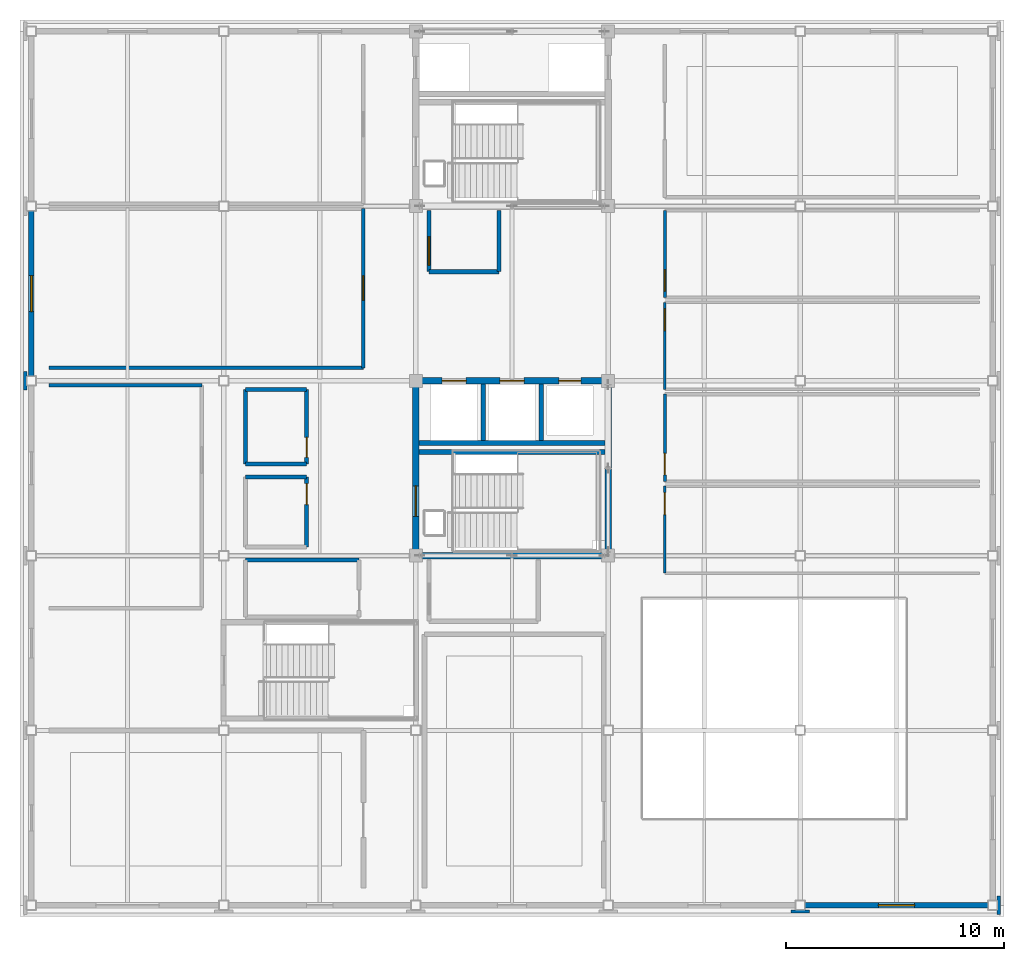
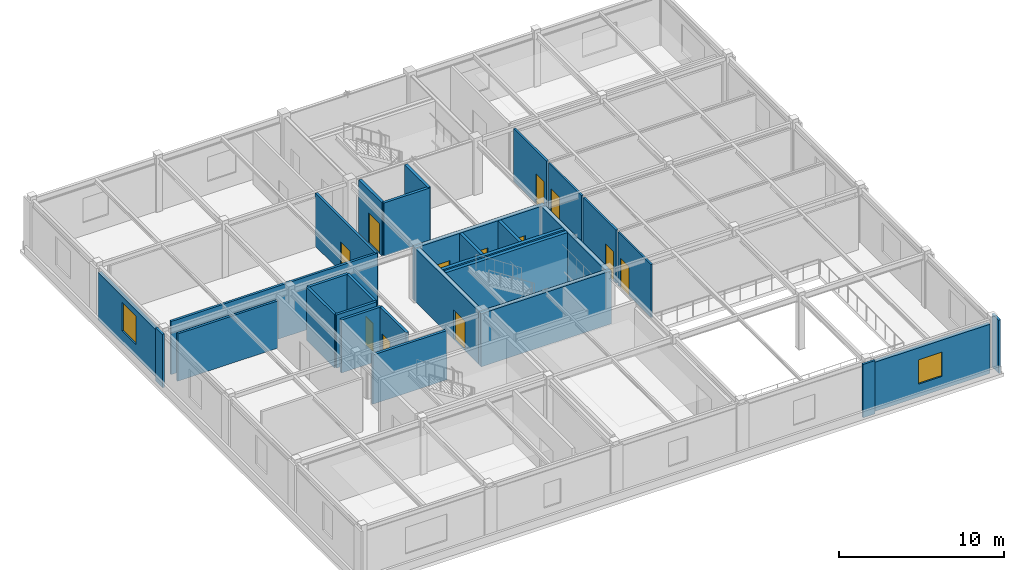
# One storey, part 13 of 18: 30 walls, 12 doors, 2 windows, 14 openings.
"""IFC4 building model written with IfcOpenShell, lengths in metres."""

from ifc_helpers import new_model, si_unit, direction, frame, frame_2d, origin, place, context, subcontext, project, spatial, rectangle, extrude, material, layer, layer_set, type_object, element, fill, save


model = new_model("IFC4")

# Units and contexts
model_context = context("Model", 3, precision=1e-05, world=origin(), true_north=direction((0.0, 1.0)))
body_context = subcontext(model_context, "Body", "Model", "MODEL_VIEW")
ifc_project = project(units=[si_unit("LENGTHUNIT", "METRE"), si_unit("AREAUNIT", "SQUARE_METRE"), si_unit("VOLUMEUNIT", "CUBIC_METRE"), si_unit("PLANEANGLEUNIT", "RADIAN"), si_unit("MASSUNIT", "GRAM", prefix="KILO")], contexts=[model_context])

# Site, building, storey
site_placement = place(None, origin())
site = spatial("IfcSite", under=ifc_project, at=site_placement, CompositionType="ELEMENT")
building_placement = place(site_placement, origin())
building = spatial("IfcBuilding", under=site, at=building_placement, Name="Zhaolan Boulevard Law Courts", CompositionType="ELEMENT")
storey_placement = place(building_placement, frame((0.0, 0.0, 33.0)))
storey = spatial("IfcBuildingStorey", under=building, at=storey_placement, Name="L07", CompositionType="ELEMENT", Elevation=33.0)

# Wall
ifc_material_1 = material(Name="Concrete C50", Category="concrete")
ifc_layer_1 = layer(ifc_material_1, 0.300048828125)
ifc_layer_set_1 = layer_set([ifc_layer_1])
wall_type_1 = type_object("IfcWallType", Name="CORE SHEAR WALL 300", PredefinedType="SHEAR", material=ifc_layer_set_1)
wall_1_placement = place(storey_placement, frame((17.449951171875, 46.0, 0.0), z_axis=(0.0, 0.0, 1.0), x_axis=(1.0, 0.0, 0.0)))
element("IfcWall", 1, at=wall_1_placement, inside=storey, type_object=wall_type_1, Name="Core Shear Wall CW-W1-L07S", PredefinedType="SHEAR", context=body_context, shape_type="SweptSolid", body=[
    extrude(rectangle(XDim=9.10009765625, YDim=0.300048828125, at=frame_2d((4.550048828125, 0.0))), origin(), (0.0, 0.0, 1.0), 3.919921875),
])

# Wall, openings, doors
wall_2_placement = place(storey_placement, frame((26.550048828125, 54.0, 0.0), z_axis=(0.0, 0.0, 1.0), x_axis=(-1.0, 0.0, 0.0)))
wall_2 = element("IfcWall", 2, at=wall_2_placement, inside=storey, type_object=wall_type_1, Name="Core Shear Wall CW-W1-L07N", PredefinedType="SHEAR", context=body_context, shape_type="SweptSolid", body=[
    extrude(rectangle(XDim=9.10009765625, YDim=0.300048828125, at=frame_2d((4.550048828125, 0.0))), origin(), (0.0, 0.0, 1.0), 3.919921875),
])
opening_1_placement = place(wall_2_placement, frame((6.64990234375, 0.0, 0.0)))
opening_1 = element("IfcOpeningElement", 3, at=opening_1_placement, cuts=wall_2, Name="Opening LD-FL-01-L07", PredefinedType="OPENING", context=body_context, shape_type="SweptSolid", body=[
    extrude(rectangle(XDim=1.10009765625, YDim=2.14990234375, at=frame_2d((0.550048828125, 1.074951171875))), frame((0.0, 0.159912109375, 0.0), z_axis=(0.0, -1.0, 0.0), x_axis=(1.0, 0.0, 0.0)), (0.0, 0.0, 1.0), 0.320068359375),
])
opening_2_placement = place(wall_2_placement, frame((4.0, 0.0, 0.0)))
opening_2 = element("IfcOpeningElement", 4, at=opening_2_placement, cuts=wall_2, Name="Opening LD-FL-02-L07", PredefinedType="OPENING", context=body_context, shape_type="SweptSolid", body=[
    extrude(rectangle(XDim=1.10009765625, YDim=2.14990234375, at=frame_2d((0.550048828125, 1.074951171875))), frame((0.0, 0.159912109375, 0.0), z_axis=(0.0, -1.0, 0.0), x_axis=(1.0, 0.0, 0.0)), (0.0, 0.0, 1.0), 0.320068359375),
])
opening_3_placement = place(wall_2_placement, frame((1.39990234375, 0.0, 0.0)))
opening_3 = element("IfcOpeningElement", 5, at=opening_3_placement, cuts=wall_2, Name="Opening LD-JL-01-L07", PredefinedType="OPENING", context=body_context, shape_type="SweptSolid", body=[
    extrude(rectangle(XDim=1.0, YDim=2.14990234375, at=frame_2d((0.5, 1.074951171875))), frame((0.0, 0.159912109375, 0.0), z_axis=(0.0, -1.0, 0.0), x_axis=(1.0, 0.0, 0.0)), (0.0, 0.0, 1.0), 0.320068359375),
])
ifc_material_2 = material(Name="Stainless steel sliding landing door", Category="steel")
door_type_1 = type_object("IfcDoorType", Name="LIFT LANDING 1000X2150", OperationType="DOUBLE_DOOR_SLIDING", PredefinedType="DOOR", material=ifc_material_2)
door_1_placement = place(opening_3_placement, origin())
door_1 = element("IfcDoor", 6, at=door_1_placement, inside=storey, type_object=door_type_1, Name="Lift Landing Sliding Door LD-JL-01-L07", OperationType="DOUBLE_DOOR_SLIDING", OverallHeight=2.14990234375, OverallWidth=1.0, PredefinedType="DOOR", context=body_context, shape_type="SweptSolid", body=[
    extrude(rectangle(XDim=1.0, YDim=2.14990234375, at=frame_2d((0.5, 1.074951171875))), frame((0.0, 0.02490234375, 0.0), z_axis=(0.0, -1.0, 0.0), x_axis=(1.0, 0.0, 0.0)), (0.0, 0.0, 1.0), 0.050048828125),
])
fill(opening_3, door_1)
ifc_material_3 = material(Name="Stainless steel sliding landing door", Category="steel")
door_type_2 = type_object("IfcDoorType", Name="LIFT LANDING 1100X2150", OperationType="DOUBLE_DOOR_SLIDING", PredefinedType="DOOR", material=ifc_material_3)
door_2_placement = place(opening_1_placement, origin())
door_2 = element("IfcDoor", 7, at=door_2_placement, inside=storey, type_object=door_type_2, Name="Lift Landing Sliding Door LD-FL-01-L07", OperationType="DOUBLE_DOOR_SLIDING", OverallHeight=2.14990234375, OverallWidth=1.10009765625, PredefinedType="DOOR", context=body_context, shape_type="SweptSolid", body=[
    extrude(rectangle(XDim=1.10009765625, YDim=2.14990234375, at=frame_2d((0.550048828125, 1.074951171875))), frame((0.0, 0.02490234375, 0.0), z_axis=(0.0, -1.0, 0.0), x_axis=(1.0, 0.0, 0.0)), (0.0, 0.0, 1.0), 0.050048828125),
])
fill(opening_1, door_2)
door_3_placement = place(opening_2_placement, origin())
door_3 = element("IfcDoor", 8, at=door_3_placement, inside=storey, type_object=door_type_2, Name="Lift Landing Sliding Door LD-FL-02-L07", OperationType="DOUBLE_DOOR_SLIDING", OverallHeight=2.14990234375, OverallWidth=1.10009765625, PredefinedType="DOOR", context=body_context, shape_type="SweptSolid", body=[
    extrude(rectangle(XDim=1.10009765625, YDim=2.14990234375, at=frame_2d((0.550048828125, 1.074951171875))), frame((0.0, 0.02490234375, 0.0), z_axis=(0.0, -1.0, 0.0), x_axis=(1.0, 0.0, 0.0)), (0.0, 0.0, 1.0), 0.050048828125),
])
fill(opening_2, door_3)

# Wall, opening, door
wall_3_placement = place(storey_placement, frame((17.60009765625, 46.14990234375, 0.0), z_axis=(0.0, 0.0, 1.0), x_axis=(0.0, 1.0, 0.0)))
wall_3 = element("IfcWall", 9, at=wall_3_placement, inside=storey, type_object=wall_type_1, Name="Core Shear Wall CW-W1-L07W", PredefinedType="SHEAR", context=body_context, shape_type="SweptSolid", body=[
    extrude(rectangle(XDim=7.7001953125, YDim=0.300048828125, at=frame_2d((3.85009765625, 0.0))), origin(), (0.0, 0.0, 1.0), 3.919921875),
])
opening_4_placement = place(wall_3_placement, frame((1.64990234375, 0.0, 0.0)))
opening_4 = element("IfcOpeningElement", 10, at=opening_4_placement, cuts=wall_3, Name="Opening SD-L07-09", PredefinedType="OPENING", context=body_context, shape_type="SweptSolid", body=[
    extrude(rectangle(XDim=1.39990234375, YDim=2.199951171875, at=frame_2d((0.699951171875, 1.10009765625))), frame((0.0, 0.159912109375, 0.0), z_axis=(0.0, -1.0, 0.0), x_axis=(1.0, 0.0, 0.0)), (0.0, 0.0, 1.0), 0.320068359375),
])
ifc_material_4 = material(Name="Fire-rated steel acoustic door", Category="steel")
door_type_3 = type_object("IfcDoorType", Name="STAIR FIRE 1400X2200 L", OperationType="SINGLE_SWING_LEFT", PredefinedType="DOOR", material=ifc_material_4)
door_4_placement = place(opening_4_placement, origin())
door_4 = element("IfcDoor", 11, at=door_4_placement, inside=storey, type_object=door_type_3, Name="Smoke-Proof Stairwell Fire Door SD-L07-09", OperationType="SINGLE_SWING_LEFT", OverallHeight=2.199951171875, OverallWidth=1.39990234375, PredefinedType="DOOR", context=body_context, shape_type="SweptSolid", body=[
    extrude(rectangle(XDim=1.39990234375, YDim=2.199951171875, at=frame_2d((0.699951171875, 1.10009765625))), frame((0.0, 0.02490234375, 0.0), z_axis=(0.0, -1.0, 0.0), x_axis=(1.0, 0.0, 0.0)), (0.0, 0.0, 1.0), 0.050048828125),
])
fill(opening_4, door_4)

# Walls
wall_4_placement = place(storey_placement, frame((26.39990234375, 46.14990234375, 0.0), z_axis=(0.0, 0.0, 1.0), x_axis=(0.0, 1.0, 0.0)))
element("IfcWall", 12, at=wall_4_placement, inside=storey, type_object=wall_type_1, Name="Core Shear Wall CW-W1-L07E", PredefinedType="SHEAR", context=body_context, shape_type="SweptSolid", body=[
    extrude(rectangle(XDim=7.7001953125, YDim=0.300048828125, at=frame_2d((3.85009765625, 0.0))), origin(), (0.0, 0.0, 1.0), 3.919921875),
])
ifc_material_5 = material(Name="Concrete C40", Category="concrete")
ifc_layer_2 = layer(ifc_material_5, 0.139892578125)
ifc_layer_set_2 = layer_set([ifc_layer_2])
wall_type_2 = type_object("IfcWallType", Name="EXT WALL ARCH CLAD140", PredefinedType="SOLIDWALL", material=ifc_layer_set_2)
for number, where, z_axis, x_axis, name in (
    (13, (44.280029296875, 29.580078125, 0.0), (0.0, 0.0, 1.0), (0.0, 1.0, 0.0), "Concrete Column Cloak Pier CPR-164"),
    (14, (-0.280029296875, 53.580078125, 0.0), (0.0, 0.0, 1.0), (0.0, 1.0, 0.0), "Concrete Column Cloak Pier CPR-169"),
):
    element("IfcWall", number, at=place(storey_placement, frame(where, z_axis=z_axis, x_axis=x_axis)), inside=storey, type_object=wall_type_2, Name=name, PredefinedType="SOLIDWALL", context=body_context, shape_type="SweptSolid", body=[
        extrude(rectangle(XDim=0.83984375, YDim=0.139892578125, at=frame_2d((0.419921875, 0.0))), origin(), (0.0, 0.0, 1.0), 3.93994140625),
    ])
wall_5_placement = place(storey_placement, frame((34.780029296875, 29.719970703125, 0.0), z_axis=(0.0, 0.0, 1.0), x_axis=(1.0, 0.0, 0.0)))
element("IfcWall", 15, at=wall_5_placement, inside=storey, type_object=wall_type_2, Name="Concrete Column Cloak Pier CPR-178", PredefinedType="SOLIDWALL", context=body_context, shape_type="SweptSolid", body=[
    extrude(rectangle(XDim=0.840087890625, YDim=0.139892578125, at=frame_2d((0.419921875, 0.0))), origin(), (0.0, 0.0, 1.0), 3.93994140625),
])

# Wall, opening, window
ifc_material_6 = material(Name="Concrete C40", Category="concrete")
ifc_layer_3 = layer(ifc_material_6, 0.260009765625)
ifc_layer_set_3 = layer_set([ifc_layer_3])
wall_type_3 = type_object("IfcWallType", Name="EXT WALL CONCRETE260", PredefinedType="SOLIDWALL", material=ifc_layer_set_3)
wall_6_placement = place(storey_placement, frame((35.4208984375, 30.0, 0.0), z_axis=(0.0, 0.0, 1.0), x_axis=(1.0, 0.0, 0.0)))
wall_6 = element("IfcWall", 16, at=wall_6_placement, inside=storey, type_object=wall_type_3, Name="Exterior Wall EW-L07-393", PredefinedType="SOLIDWALL", context=body_context, shape_type="SweptSolid", body=[
    extrude(rectangle(XDim=8.358154296875, YDim=0.260009765625, at=frame_2d((4.17919921875, 0.0))), origin(), (0.0, 0.0, 1.0), 3.633056640625),
])
opening_5_placement = place(wall_6_placement, frame((3.35400390625, 0.0, 0.949951171875)))
opening_5 = element("IfcOpeningElement", 17, at=opening_5_placement, cuts=wall_6, Name="Opening WIN-L07-243", PredefinedType="OPENING", context=body_context, shape_type="SweptSolid", body=[
    extrude(rectangle(XDim=1.64990234375, YDim=1.800048828125, at=frame_2d((0.824951171875, 0.89990234375))), frame((0.0, 0.139892578125, 0.0), z_axis=(0.0, -1.0, 0.0), x_axis=(1.0, 0.0, 0.0)), (0.0, 0.0, 1.0), 0.280029296875),
])
ifc_material_7 = material(Name="Thermally broken aluminium and low-E glazing", Category="aluminium")
window_type_1 = type_object("IfcWindowType", Name="WINDOW 1650X1800", PartitioningType="SINGLE_PANEL", PredefinedType="WINDOW", material=ifc_material_7)
window_1_placement = place(opening_5_placement, origin())
window_1 = element("IfcWindow", 18, at=window_1_placement, inside=storey, type_object=window_type_1, Name="Exterior Window WIN-L07-243", OverallHeight=1.800048828125, OverallWidth=1.64990234375, PartitioningType="SINGLE_PANEL", PredefinedType="WINDOW", context=body_context, shape_type="SweptSolid", body=[
    extrude(rectangle(XDim=1.64990234375, YDim=1.800048828125, at=frame_2d((0.824951171875, 0.89990234375))), frame((0.0, 0.030029296875, 0.0), z_axis=(0.0, -1.0, 0.0), x_axis=(1.0, 0.0, 0.0)), (0.0, 0.0, 1.0), 0.06005859375),
])
fill(opening_5, window_1)

wall_7_placement = place(storey_placement, frame((0.0, 61.779052734375, 0.0), z_axis=(0.0, 0.0, 1.0), x_axis=(0.0, -1.0, 0.0)))
wall_7 = element("IfcWall", 19, at=wall_7_placement, inside=storey, type_object=wall_type_3, Name="Exterior Wall EW-L07-401", PredefinedType="SOLIDWALL", context=body_context, shape_type="SweptSolid", body=[
    extrude(rectangle(XDim=7.55810546875, YDim=0.260009765625, at=frame_2d((3.779052734375, 0.0))), origin(), (0.0, 0.0, 1.0), 3.48291015625),
])
opening_6_placement = place(wall_7_placement, frame((2.9541015625, 0.0, 0.949951171875)))
opening_6 = element("IfcOpeningElement", 20, at=opening_6_placement, cuts=wall_7, Name="Opening WIN-L07-251", PredefinedType="OPENING", context=body_context, shape_type="SweptSolid", body=[
    extrude(rectangle(XDim=1.64990234375, YDim=2.10009765625, at=frame_2d((0.824951171875, 1.050048828125))), frame((0.0, 0.139892578125, 0.0), z_axis=(0.0, -1.0, 0.0), x_axis=(1.0, 0.0, 0.0)), (0.0, 0.0, 1.0), 0.280029296875),
])
ifc_material_8 = material(Name="Thermally broken aluminium and low-E glazing", Category="aluminium")
window_type_2 = type_object("IfcWindowType", Name="WINDOW 1650X2100", PartitioningType="SINGLE_PANEL", PredefinedType="WINDOW", material=ifc_material_8)
window_2_placement = place(opening_6_placement, origin())
window_2 = element("IfcWindow", 21, at=window_2_placement, inside=storey, type_object=window_type_2, Name="Exterior Window WIN-L07-251", OverallHeight=2.10009765625, OverallWidth=1.64990234375, PartitioningType="SINGLE_PANEL", PredefinedType="WINDOW", context=body_context, shape_type="SweptSolid", body=[
    extrude(rectangle(XDim=1.64990234375, YDim=2.10009765625, at=frame_2d((0.824951171875, 1.050048828125))), frame((0.0, 0.030029296875, 0.0), z_axis=(0.0, -1.0, 0.0), x_axis=(1.0, 0.0, 0.0)), (0.0, 0.0, 1.0), 0.06005859375),
])
fill(opening_6, window_2)

# Walls
ifc_material_9 = material(Name="Concrete C50", Category="concrete")
ifc_layer_4 = layer(ifc_material_9, 0.239990234375)
ifc_layer_set_4 = layer_set([ifc_layer_4])
wall_type_4 = type_object("IfcWallType", Name="LIFT SHAFT WALL 240", PredefinedType="SHEAR", material=ifc_layer_set_4)
wall_8_placement = place(storey_placement, frame((17.75, 51.155029296875, 0.0), z_axis=(0.0, 0.0, 1.0), x_axis=(1.0, 0.0, 0.0)))
element("IfcWall", 22, at=wall_8_placement, inside=storey, type_object=wall_type_4, Name="Lift Shaft Enclosure Wall W1 (L07)", PredefinedType="SHEAR", context=body_context, shape_type="SweptSolid", body=[
    extrude(rectangle(XDim=8.5, YDim=0.239990234375, at=frame_2d((4.25, 0.0))), origin(), (0.0, 0.0, 1.0), 3.919921875),
])
ifc_material_10 = material(Name="Acoustic gypsum and mineral-wool stud")
ifc_layer_5 = layer(ifc_material_10, 0.18994140625)
ifc_layer_set_5 = layer_set([ifc_layer_5])
wall_type_5 = type_object("IfcWallType", Name="PART WALL ACOUST190", PredefinedType="PARTITIONING", material=ifc_layer_set_5)
wall_9_placement = place(storey_placement, frame((18.199951171875, 59.0, 0.0), z_axis=(0.0, 0.0, 1.0), x_axis=(1.0, 0.0, 0.0)))
element("IfcWall", 23, at=wall_9_placement, inside=storey, type_object=wall_type_5, Name="Interior Partition PW-L07-052", PredefinedType="PARTITIONING", context=body_context, shape_type="SweptSolid", body=[
    extrude(rectangle(XDim=3.199951171875, YDim=0.18994140625, at=frame_2d((1.60009765625, 0.0))), origin(), (0.0, 0.0, 1.0), 3.919921875),
])

# Wall, opening, door
wall_10_placement = place(storey_placement, frame((18.199951171875, 61.800048828125, 0.0), z_axis=(0.0, 0.0, 1.0), x_axis=(0.0, -1.0, 0.0)))
wall_10 = element("IfcWall", 24, at=wall_10_placement, inside=storey, type_object=wall_type_5, Name="Interior Partition PW-L07-053", PredefinedType="PARTITIONING", context=body_context, shape_type="SweptSolid", body=[
    extrude(rectangle(XDim=2.800048828125, YDim=0.18994140625, at=frame_2d((1.39990234375, 0.0))), origin(), (0.0, 0.0, 1.0), 3.919921875),
])
opening_7_placement = place(wall_10_placement, frame((1.199951171875, 0.0, 0.0)))
opening_7 = element("IfcOpeningElement", 25, at=opening_7_placement, cuts=wall_10, Name="Opening FD-L07-018", PredefinedType="OPENING", context=body_context, shape_type="SweptSolid", body=[
    extrude(rectangle(XDim=1.300048828125, YDim=2.199951171875, at=frame_2d((0.64990234375, 1.10009765625))), frame((0.0, 0.10498046875, 0.0), z_axis=(0.0, -1.0, 0.0), x_axis=(1.0, 0.0, 0.0)), (0.0, 0.0, 1.0), 0.2099609375),
])
ifc_material_11 = material(Name="Fire-rated steel acoustic door", Category="steel")
door_type_4 = type_object("IfcDoorType", Name="LOBBY FIRE 1300X2200 R", OperationType="SINGLE_SWING_RIGHT", PredefinedType="DOOR", material=ifc_material_11)
door_5_placement = place(opening_7_placement, origin())
door_5 = element("IfcDoor", 26, at=door_5_placement, inside=storey, type_object=door_type_4, Name="Door FD-L07-018 (Lobby Firefighting Lift L07-W2)", OperationType="SINGLE_SWING_RIGHT", OverallHeight=2.199951171875, OverallWidth=1.300048828125, PredefinedType="DOOR", context=body_context, shape_type="SweptSolid", body=[
    extrude(rectangle(XDim=1.300048828125, YDim=2.199951171875, at=frame_2d((0.64990234375, 1.10009765625))), frame((0.0, 0.02490234375, 0.0), z_axis=(0.0, -1.0, 0.0), x_axis=(1.0, 0.0, 0.0)), (0.0, 0.0, 1.0), 0.050048828125),
])
fill(opening_7, door_5)

# Walls
wall_11_placement = place(storey_placement, frame((21.39990234375, 59.0, 0.0), z_axis=(0.0, 0.0, 1.0), x_axis=(0.0, 1.0, 0.0)))
element("IfcWall", 27, at=wall_11_placement, inside=storey, type_object=wall_type_5, Name="Interior Partition PW-L07-054", PredefinedType="PARTITIONING", context=body_context, shape_type="SweptSolid", body=[
    extrude(rectangle(XDim=2.800048828125, YDim=0.18994140625, at=frame_2d((1.39990234375, 0.0))), origin(), (0.0, 0.0, 1.0), 3.919921875),
])
ifc_material_12 = material(Name="Fire-rated gypsum stud partition")
ifc_layer_6 = layer(ifc_material_12, 0.159912109375)
ifc_layer_set_6 = layer_set([ifc_layer_6])
wall_type_6 = type_object("IfcWallType", Name="PART WALL CHAMB160", PredefinedType="PARTITIONING", material=ifc_layer_set_6)
wall_12_placement = place(storey_placement, frame((0.800048828125, 54.60009765625, 0.0), z_axis=(0.0, 0.0, 1.0), x_axis=(1.0, 0.0, 0.0)))
element("IfcWall", 28, at=wall_12_placement, inside=storey, type_object=wall_type_6, Name="Interior Partition PW-L07-691", PredefinedType="PARTITIONING", context=body_context, shape_type="SweptSolid", body=[
    extrude(rectangle(XDim=14.39990234375, YDim=0.159912109375, at=frame_2d((7.199951171875, 0.0))), origin(), (0.0, 0.0, 1.0), 3.919921875),
])

# Wall, opening, door
wall_13_placement = place(storey_placement, frame((15.199951171875, 54.60009765625, 0.0), z_axis=(0.0, 0.0, 1.0), x_axis=(0.0, 1.0, 0.0)))
wall_13 = element("IfcWall", 29, at=wall_13_placement, inside=storey, type_object=wall_type_6, Name="Interior Partition PW-L07-693", PredefinedType="PARTITIONING", context=body_context, shape_type="SweptSolid", body=[
    extrude(rectangle(XDim=7.289794921875, YDim=0.159912109375, at=frame_2d((3.64501953125, 0.0))), origin(), (0.0, 0.0, 1.0), 3.919921875),
])
opening_8_placement = place(wall_13_placement, frame((3.0849609375, 0.0, 0.0)))
opening_8 = element("IfcOpeningElement", 30, at=opening_8_placement, cuts=wall_13, Name="Opening JR-L07-212", PredefinedType="OPENING", context=body_context, shape_type="SweptSolid", body=[
    extrude(rectangle(XDim=1.1201171875, YDim=2.199951171875, at=frame_2d((0.56005859375, 1.10009765625))), frame((0.0, 0.08984375, 0.0), z_axis=(0.0, -1.0, 0.0), x_axis=(1.0, 0.0, 0.0)), (0.0, 0.0, 1.0), 0.179931640625),
])
ifc_material_13 = material(Name="Solid-core acoustic oak veneer door")
door_type_5 = type_object("IfcDoorType", Name="JURY DOOR 1120X2200 R", OperationType="SINGLE_SWING_RIGHT", PredefinedType="DOOR", material=ifc_material_13)
door_6_placement = place(opening_8_placement, origin())
door_6 = element("IfcDoor", 31, at=door_6_placement, inside=storey, type_object=door_type_5, Name="Door JR-L07-212 (Jury Room L07-01)", OperationType="SINGLE_SWING_RIGHT", OverallHeight=2.199951171875, OverallWidth=1.1201171875, PredefinedType="DOOR", context=body_context, shape_type="SweptSolid", body=[
    extrude(rectangle(XDim=1.1201171875, YDim=2.199951171875, at=frame_2d((0.56005859375, 1.10009765625))), frame((0.0, 0.02490234375, 0.0), z_axis=(0.0, -1.0, 0.0), x_axis=(1.0, 0.0, 0.0)), (0.0, 0.0, 1.0), 0.050048828125),
])
fill(opening_8, door_6)

# Walls
wall_14_placement = place(storey_placement, frame((7.800048828125, 53.800048828125, 0.0), z_axis=(0.0, 0.0, 1.0), x_axis=(-1.0, 0.0, 0.0)))
element("IfcWall", 32, at=wall_14_placement, inside=storey, type_object=wall_type_6, Name="Interior Partition PW-L07-804", PredefinedType="PARTITIONING", context=body_context, shape_type="SweptSolid", body=[
    extrude(rectangle(XDim=7.0, YDim=0.159912109375, at=frame_2d((3.5, 0.0))), origin(), (0.0, 0.0, 1.0), 3.486083984375),
])
ifc_material_14 = material(Name="Concrete C40", Category="concrete")
ifc_layer_7 = layer(ifc_material_14, 0.2099609375)
ifc_layer_set_7 = layer_set([ifc_layer_7])
wall_type_7 = type_object("IfcWallType", Name="PART WALL CUSTODY210", PredefinedType="PARTITIONING", material=ifc_layer_set_7)
for number, where, z_axis, x_axis, name in (
    (33, (20.675048828125, 51.277099609375, 0.0), (0.0, 0.0, 1.0), (0.0, 1.0, 0.0), "Lift Shaft Divider Wall W1-1 (L07)"),
    (34, (23.337890625, 51.277099609375, 0.0), (0.0, 0.0, 1.0), (0.0, 1.0, 0.0), "Lift Shaft Divider Wall W1-2 (L07)"),
):
    element("IfcWall", number, at=place(storey_placement, frame(where, z_axis=z_axis, x_axis=x_axis)), inside=storey, type_object=wall_type_7, Name=name, PredefinedType="PARTITIONING", context=body_context, shape_type="SweptSolid", body=[
        extrude(rectangle(XDim=2.57080078125, YDim=0.2099609375, at=frame_2d((1.285400390625, 0.0))), origin(), (0.0, 0.0, 1.0), 3.919921875),
    ])

# Wall, opening, door
ifc_material_15 = material(Name="Gypsum board stud partition")
ifc_layer_8 = layer(ifc_material_15, 0.1201171875)
ifc_layer_set_8 = layer_set([ifc_layer_8])
wall_type_8 = type_object("IfcWallType", Name="PART WALL LIGHT120", PredefinedType="PARTITIONING", material=ifc_layer_set_8)
wall_15_placement = place(storey_placement, frame((29.0, 49.18505859375, 0.0), z_axis=(0.0, 0.0, 1.0), x_axis=(0.0, -1.0, 0.0)))
wall_15 = element("IfcWall", 35, at=wall_15_placement, inside=storey, type_object=wall_type_8, Name="Interior Partition PW-L07-698", PredefinedType="PARTITIONING", context=body_context, shape_type="SweptSolid", body=[
    extrude(rectangle(XDim=3.985107421875, YDim=0.1201171875, at=frame_2d((1.99267578125, 0.0))), origin(), (0.0, 0.0, 1.0), 3.919921875),
])
opening_9_placement = place(wall_15_placement, frame((0.300048828125, 0.0, 0.0)))
opening_9 = element("IfcOpeningElement", 36, at=opening_9_placement, cuts=wall_15, Name="Opening JD-L07-214", PredefinedType="OPENING", context=body_context, shape_type="SweptSolid", body=[
    extrude(rectangle(XDim=1.0, YDim=2.14990234375, at=frame_2d((0.5, 1.074951171875))), frame((0.0, 0.070068359375, 0.0), z_axis=(0.0, -1.0, 0.0), x_axis=(1.0, 0.0, 0.0)), (0.0, 0.0, 1.0), 0.14013671875),
])
ifc_material_16 = material(Name="Solid-core acoustic oak veneer door")
door_type_6 = type_object("IfcDoorType", Name="CHAMBER DOOR 1000X2150 L", OperationType="SINGLE_SWING_LEFT", PredefinedType="DOOR", material=ifc_material_16)
door_7_placement = place(opening_9_placement, origin())
door_7 = element("IfcDoor", 37, at=door_7_placement, inside=storey, type_object=door_type_6, Name="Door JD-L07-214 (Judges' Chambers L07-01)", OperationType="SINGLE_SWING_LEFT", OverallHeight=2.14990234375, OverallWidth=1.0, PredefinedType="DOOR", context=body_context, shape_type="SweptSolid", body=[
    extrude(rectangle(XDim=1.0, YDim=2.14990234375, at=frame_2d((0.5, 1.074951171875))), frame((0.0, 0.02490234375, 0.0), z_axis=(0.0, -1.0, 0.0), x_axis=(1.0, 0.0, 0.0)), (0.0, 0.0, 1.0), 0.050048828125),
])
fill(opening_9, door_7)

wall_16_placement = place(storey_placement, frame((29.0, 57.594970703125, 0.0), z_axis=(0.0, 0.0, 1.0), x_axis=(0.0, -1.0, 0.0)))
wall_16 = element("IfcWall", 38, at=wall_16_placement, inside=storey, type_object=wall_type_8, Name="Interior Partition PW-L07-704", PredefinedType="PARTITIONING", context=body_context, shape_type="SweptSolid", body=[
    extrude(rectangle(XDim=3.98486328125, YDim=0.1201171875, at=frame_2d((1.992431640625, 0.0))), origin(), (0.0, 0.0, 1.0), 3.919921875),
])
opening_10_placement = place(wall_16_placement, frame((0.300048828125, 0.0, 0.0)))
opening_10 = element("IfcOpeningElement", 39, at=opening_10_placement, cuts=wall_16, Name="Opening JD-L07-216", PredefinedType="OPENING", context=body_context, shape_type="SweptSolid", body=[
    extrude(rectangle(XDim=1.0, YDim=2.199951171875, at=frame_2d((0.5, 1.10009765625))), frame((0.0, 0.070068359375, 0.0), z_axis=(0.0, -1.0, 0.0), x_axis=(1.0, 0.0, 0.0)), (0.0, 0.0, 1.0), 0.14013671875),
])
ifc_material_17 = material(Name="Solid-core acoustic oak veneer door")
door_type_7 = type_object("IfcDoorType", Name="CHAMBER DOOR 1000X2200 L", OperationType="SINGLE_SWING_LEFT", PredefinedType="DOOR", material=ifc_material_17)
door_8_placement = place(opening_10_placement, origin())
door_8 = element("IfcDoor", 40, at=door_8_placement, inside=storey, type_object=door_type_7, Name="Door JD-L07-216 (Judges' Chambers L07-03)", OperationType="SINGLE_SWING_LEFT", OverallHeight=2.199951171875, OverallWidth=1.0, PredefinedType="DOOR", context=body_context, shape_type="SweptSolid", body=[
    extrude(rectangle(XDim=1.0, YDim=2.199951171875, at=frame_2d((0.5, 1.10009765625))), frame((0.0, 0.02490234375, 0.0), z_axis=(0.0, -1.0, 0.0), x_axis=(1.0, 0.0, 0.0)), (0.0, 0.0, 1.0), 0.050048828125),
])
fill(opening_10, door_8)

ifc_material_18 = material(Name="Fire-rated gypsum stud partition")
ifc_layer_9 = layer(ifc_material_18, 0.139892578125)
ifc_layer_set_9 = layer_set([ifc_layer_9])
wall_type_9 = type_object("IfcWallType", Name="PART WALL OFFICE140", PredefinedType="PARTITIONING", material=ifc_layer_set_9)
wall_17_placement = place(storey_placement, frame((29.0, 53.389892578125, 0.0), z_axis=(0.0, 0.0, 1.0), x_axis=(0.0, -1.0, 0.0)))
wall_17 = element("IfcWall", 41, at=wall_17_placement, inside=storey, type_object=wall_type_9, Name="Interior Partition PW-L07-701", PredefinedType="PARTITIONING", context=body_context, shape_type="SweptSolid", body=[
    extrude(rectangle(XDim=3.98486328125, YDim=0.139892578125, at=frame_2d((1.992431640625, 0.0))), origin(), (0.0, 0.0, 1.0), 3.919921875),
])
opening_11_placement = place(wall_17_placement, frame((2.705078125, 0.0, 0.0)))
opening_11 = element("IfcOpeningElement", 42, at=opening_11_placement, cuts=wall_17, Name="Opening JD-L07-215", PredefinedType="OPENING", context=body_context, shape_type="SweptSolid", body=[
    extrude(rectangle(XDim=0.97998046875, YDim=2.14990234375, at=frame_2d((0.489990234375, 1.074951171875))), frame((0.0, 0.079833984375, 0.0), z_axis=(0.0, -1.0, 0.0), x_axis=(1.0, 0.0, 0.0)), (0.0, 0.0, 1.0), 0.159912109375),
])
ifc_material_19 = material(Name="Solid-core acoustic oak veneer door")
door_type_8 = type_object("IfcDoorType", Name="CHAMBER DOOR 980X2150 R", OperationType="SINGLE_SWING_RIGHT", PredefinedType="DOOR", material=ifc_material_19)
door_9_placement = place(opening_11_placement, origin())
door_9 = element("IfcDoor", 43, at=door_9_placement, inside=storey, type_object=door_type_8, Name="Door JD-L07-215 (Judges' Chambers L07-02)", OperationType="SINGLE_SWING_RIGHT", OverallHeight=2.14990234375, OverallWidth=0.97998046875, PredefinedType="DOOR", context=body_context, shape_type="SweptSolid", body=[
    extrude(rectangle(XDim=0.97998046875, YDim=2.14990234375, at=frame_2d((0.489990234375, 1.074951171875))), frame((0.0, 0.02490234375, 0.0), z_axis=(0.0, -1.0, 0.0), x_axis=(1.0, 0.0, 0.0)), (0.0, 0.0, 1.0), 0.050048828125),
])
fill(opening_11, door_9)

wall_18_placement = place(storey_placement, frame((29.0, 61.800048828125, 0.0), z_axis=(0.0, 0.0, 1.0), x_axis=(0.0, -1.0, 0.0)))
wall_18 = element("IfcWall", 44, at=wall_18_placement, inside=storey, type_object=wall_type_9, Name="Interior Partition PW-L07-707", PredefinedType="PARTITIONING", context=body_context, shape_type="SweptSolid", body=[
    extrude(rectangle(XDim=3.985107421875, YDim=0.139892578125, at=frame_2d((1.99267578125, 0.0))), origin(), (0.0, 0.0, 1.0), 3.919921875),
])
opening_12_placement = place(wall_18_placement, frame((2.705078125, 0.0, 0.0)))
opening_12 = element("IfcOpeningElement", 45, at=opening_12_placement, cuts=wall_18, Name="Opening JD-L07-217", PredefinedType="OPENING", context=body_context, shape_type="SweptSolid", body=[
    extrude(rectangle(XDim=0.97998046875, YDim=2.199951171875, at=frame_2d((0.489990234375, 1.10009765625))), frame((0.0, 0.079833984375, 0.0), z_axis=(0.0, -1.0, 0.0), x_axis=(1.0, 0.0, 0.0)), (0.0, 0.0, 1.0), 0.159912109375),
])
ifc_material_20 = material(Name="Solid-core acoustic oak veneer door")
door_type_9 = type_object("IfcDoorType", Name="CHAMBER DOOR 980X2200 R", OperationType="SINGLE_SWING_RIGHT", PredefinedType="DOOR", material=ifc_material_20)
door_10_placement = place(opening_12_placement, origin())
door_10 = element("IfcDoor", 46, at=door_10_placement, inside=storey, type_object=door_type_9, Name="Door JD-L07-217 (Judges' Chambers L07-04)", OperationType="SINGLE_SWING_RIGHT", OverallHeight=2.199951171875, OverallWidth=0.97998046875, PredefinedType="DOOR", context=body_context, shape_type="SweptSolid", body=[
    extrude(rectangle(XDim=0.97998046875, YDim=2.199951171875, at=frame_2d((0.489990234375, 1.10009765625))), frame((0.0, 0.02490234375, 0.0), z_axis=(0.0, -1.0, 0.0), x_axis=(1.0, 0.0, 0.0)), (0.0, 0.0, 1.0), 0.050048828125),
])
fill(opening_12, door_10)

# Wall
ifc_material_21 = material(Name="Moisture-resistant masonry chase wall", Category="masonry")
ifc_layer_10 = layer(ifc_material_21, 0.179931640625)
ifc_layer_set_10 = layer_set([ifc_layer_10])
wall_type_10 = type_object("IfcWallType", Name="PLUMB WALL 180", PredefinedType="PLUMBINGWALL", material=ifc_layer_set_10)
wall_19_placement = place(storey_placement, frame((12.60009765625, 49.60009765625, 0.0), z_axis=(0.0, 0.0, 1.0), x_axis=(-1.0, 0.0, 0.0)))
element("IfcWall", 47, at=wall_19_placement, inside=storey, type_object=wall_type_10, Name="Interior Partition PW-L07-176", PredefinedType="PLUMBINGWALL", context=body_context, shape_type="SweptSolid", body=[
    extrude(rectangle(XDim=2.800048828125, YDim=0.179931640625, at=frame_2d((1.39990234375, 0.0))), origin(), (0.0, 0.0, 1.0), 3.919921875),
])

# Wall, opening, door
wall_20_placement = place(storey_placement, frame((12.60009765625, 46.39990234375, 0.0), z_axis=(0.0, 0.0, 1.0), x_axis=(0.0, 1.0, 0.0)))
wall_20 = element("IfcWall", 48, at=wall_20_placement, inside=storey, type_object=wall_type_10, Name="Interior Partition PW-L07-178", PredefinedType="PLUMBINGWALL", context=body_context, shape_type="SweptSolid", body=[
    extrude(rectangle(XDim=3.2001953125, YDim=0.179931640625, at=frame_2d((1.60009765625, 0.0))), origin(), (0.0, 0.0, 1.0), 3.919921875),
])
opening_13_placement = place(wall_20_placement, frame((1.93994140625, 0.0, 0.0)))
opening_13 = element("IfcOpeningElement", 49, at=opening_13_placement, cuts=wall_20, Name="Opening WD-L07-052", PredefinedType="OPENING", context=body_context, shape_type="SweptSolid", body=[
    extrude(rectangle(XDim=0.9599609375, YDim=2.10009765625, at=frame_2d((0.47998046875, 1.050048828125))), frame((0.0, 0.099853515625, 0.0), z_axis=(0.0, -1.0, 0.0), x_axis=(1.0, 0.0, 0.0)), (0.0, 0.0, 1.0), 0.199951171875),
])
ifc_material_22 = material(Name="Solid-core acoustic oak veneer door")
door_type_10 = type_object("IfcDoorType", Name="WCDOOR ACC 960X2100 L", OperationType="SINGLE_SWING_LEFT", PredefinedType="DOOR", material=ifc_material_22)
door_11_placement = place(opening_13_placement, origin())
door_11 = element("IfcDoor", 50, at=door_11_placement, inside=storey, type_object=door_type_10, Name="Door WD-L07-052 (Accessible WC L07)", OperationType="SINGLE_SWING_LEFT", OverallHeight=2.10009765625, OverallWidth=0.9599609375, PredefinedType="DOOR", context=body_context, shape_type="SweptSolid", body=[
    extrude(rectangle(XDim=0.9599609375, YDim=2.10009765625, at=frame_2d((0.47998046875, 1.050048828125))), frame((0.0, 0.02490234375, 0.0), z_axis=(0.0, -1.0, 0.0), x_axis=(1.0, 0.0, 0.0)), (0.0, 0.0, 1.0), 0.050048828125),
])
fill(opening_13, door_11)

# Walls
for number, where, z_axis, x_axis, name in (
    (51, (9.800048828125, 50.199951171875, 0.0), (0.0, 0.0, 1.0), (1.0, 0.0, 0.0), "Interior Partition PW-L07-179"),
    (52, (12.60009765625, 53.60009765625, 0.0), (0.0, 0.0, 1.0), (-1.0, 0.0, 0.0), "Interior Partition PW-L07-180"),
):
    element("IfcWall", number, at=place(storey_placement, frame(where, z_axis=z_axis, x_axis=x_axis)), inside=storey, type_object=wall_type_10, Name=name, PredefinedType="PLUMBINGWALL", context=body_context, shape_type="SweptSolid", body=[
        extrude(rectangle(XDim=2.800048828125, YDim=0.179931640625, at=frame_2d((1.39990234375, 0.0))), origin(), (0.0, 0.0, 1.0), 3.919921875),
    ])
wall_21_placement = place(storey_placement, frame((9.800048828125, 53.60009765625, 0.0), z_axis=(0.0, 0.0, 1.0), x_axis=(0.0, -1.0, 0.0)))
element("IfcWall", 53, at=wall_21_placement, inside=storey, type_object=wall_type_10, Name="Interior Partition PW-L07-181", PredefinedType="PLUMBINGWALL", context=body_context, shape_type="SweptSolid", body=[
    extrude(rectangle(XDim=3.400146484375, YDim=0.179931640625, at=frame_2d((1.7001953125, 0.0))), origin(), (0.0, 0.0, 1.0), 3.919921875),
])

# Wall, opening, door
wall_22_placement = place(storey_placement, frame((12.60009765625, 50.199951171875, 0.0), z_axis=(0.0, 0.0, 1.0), x_axis=(0.0, 1.0, 0.0)))
wall_22 = element("IfcWall", 54, at=wall_22_placement, inside=storey, type_object=wall_type_10, Name="Interior Partition PW-L07-182", PredefinedType="PLUMBINGWALL", context=body_context, shape_type="SweptSolid", body=[
    extrude(rectangle(XDim=3.400146484375, YDim=0.179931640625, at=frame_2d((1.7001953125, 0.0))), origin(), (0.0, 0.0, 1.0), 3.919921875),
])
opening_14_placement = place(wall_22_placement, frame((0.300048828125, 0.0, 0.0)))
opening_14 = element("IfcOpeningElement", 55, at=opening_14_placement, cuts=wall_22, Name="Opening WD-L07-053", PredefinedType="OPENING", context=body_context, shape_type="SweptSolid", body=[
    extrude(rectangle(XDim=0.919921875, YDim=2.10009765625, at=frame_2d((0.4599609375, 1.050048828125))), frame((0.0, 0.099853515625, 0.0), z_axis=(0.0, -1.0, 0.0), x_axis=(1.0, 0.0, 0.0)), (0.0, 0.0, 1.0), 0.199951171875),
])
ifc_material_23 = material(Name="Solid-core acoustic oak veneer door")
door_type_11 = type_object("IfcDoorType", Name="WCDOOR PUB 920X2100 R", OperationType="SINGLE_SWING_RIGHT", PredefinedType="DOOR", material=ifc_material_23)
door_12_placement = place(opening_14_placement, origin())
door_12 = element("IfcDoor", 56, at=door_12_placement, inside=storey, type_object=door_type_11, Name="Door WD-L07-053 (WC Public Male L07)", OperationType="SINGLE_SWING_RIGHT", OverallHeight=2.10009765625, OverallWidth=0.919921875, PredefinedType="DOOR", context=body_context, shape_type="SweptSolid", body=[
    extrude(rectangle(XDim=0.919921875, YDim=2.10009765625, at=frame_2d((0.4599609375, 1.050048828125))), frame((0.0, 0.02490234375, 0.0), z_axis=(0.0, -1.0, 0.0), x_axis=(1.0, 0.0, 0.0)), (0.0, 0.0, 1.0), 0.050048828125),
])
fill(opening_14, door_12)

# Walls
wall_23_placement = place(storey_placement, frame((15.0, 45.800048828125, 0.0), z_axis=(0.0, 0.0, 1.0), x_axis=(-1.0, 0.0, 0.0)))
element("IfcWall", 57, at=wall_23_placement, inside=storey, type_object=wall_type_10, Name="Interior Partition PW-L07-184", PredefinedType="PLUMBINGWALL", context=body_context, shape_type="SweptSolid", body=[
    extrude(rectangle(XDim=5.199951171875, YDim=0.179931640625, at=frame_2d((2.60009765625, 0.0))), origin(), (0.0, 0.0, 1.0), 3.635986328125),
])
ifc_material_24 = material(Name="Concrete C50", Category="concrete")
ifc_layer_11 = layer(ifc_material_24, 0.239990234375)
ifc_layer_set_11 = layer_set([ifc_layer_11])
wall_type_11 = type_object("IfcWallType", Name="STAIR WELL WALL 240", PredefinedType="SHEAR", material=ifc_layer_set_11)
wall_24_placement = place(storey_placement, frame((17.75, 50.75, 0.0), z_axis=(0.0, 0.0, 1.0), x_axis=(1.0, 0.0, 0.0)))
element("IfcWall", 58, at=wall_24_placement, inside=storey, type_object=wall_type_11, Name="Stairwell Divider Shear Wall ST01-L07N", PredefinedType="SHEAR", context=body_context, shape_type="SweptSolid", body=[
    extrude(rectangle(XDim=8.5, YDim=0.239990234375, at=frame_2d((4.25, 0.0))), origin(), (0.0, 0.0, 1.0), 3.949951171875),
])

save(model, "model.ifc")
